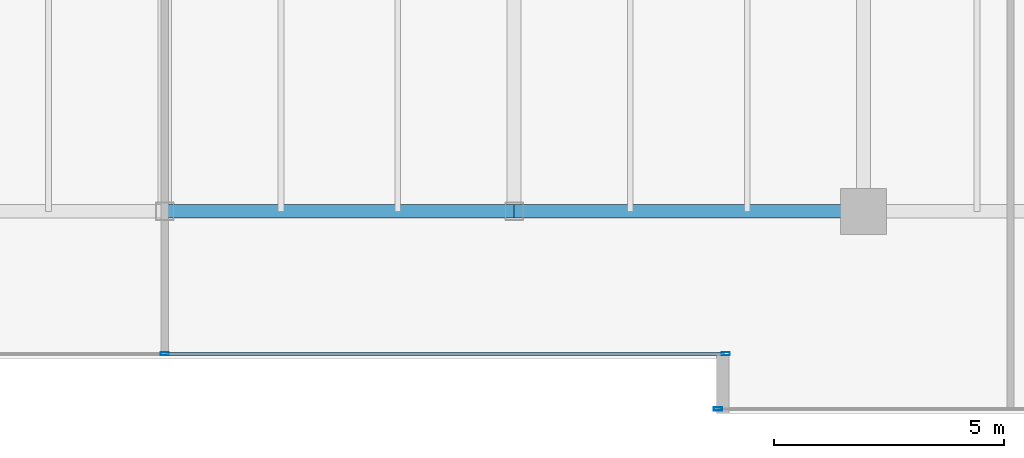
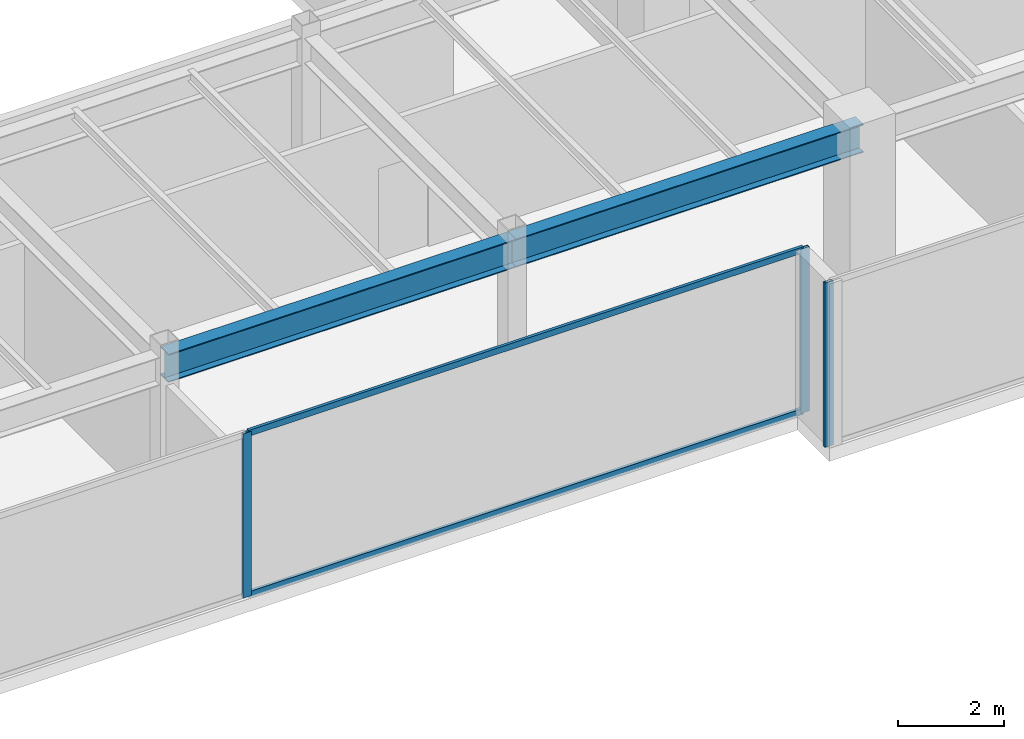
# One storey, part 11 of 33: 5 members, 2 beams, 2 elements without a shape of their own.
"""IFC4 building model written with IfcOpenShell, lengths in metres."""

from ifc_helpers import new_model, si_unit, direction, frame, origin, origin_2d, place, context, subcontext, project, spatial, hollow_rectangle, i_section, extrude, source, transform, mapped, material, layer, layer_set, material_profile, profile_set, type_object, type_shapes, element, aggregate, save


model = new_model("IFC4")

# Units and contexts
model_context = context("Model", 3, precision=1e-05, world=origin(), true_north=direction((0.0, 1.0)))
body_context = subcontext(model_context, "Body", "Model", "MODEL_VIEW")
ifc_project = project(units=[si_unit("LENGTHUNIT", "METRE"), si_unit("AREAUNIT", "SQUARE_METRE"), si_unit("VOLUMEUNIT", "CUBIC_METRE"), si_unit("PLANEANGLEUNIT", "RADIAN"), si_unit("MASSUNIT", "GRAM", prefix="KILO")], contexts=[model_context])

# Site, building, storey
site_placement = place(None, origin())
site = spatial("IfcSite", under=ifc_project, at=site_placement, CompositionType="ELEMENT")
building_placement = place(site_placement, origin())
building = spatial("IfcBuilding", under=site, at=building_placement, Name="Haelvirn Gate Laboratories", CompositionType="ELEMENT")
storey_placement = place(building_placement, frame((0.0, 0.0, 258.800048828125)))
storey = spatial("IfcBuildingStorey", under=building, at=storey_placement, Name="L62", CompositionType="ELEMENT", Elevation=258.800048828125)

# Beams
ifc_material_1 = material(Name="Steel SM355", Category="steel")
ifc_material_profile_1 = material_profile(ifc_material_1, i_section(OverallWidth=0.300048828125, OverallDepth=0.64990234375, WebThickness=0.012939453125, FlangeThickness=0.02197265625, at=origin_2d()), Name="H-650x300x13x22")
ifc_profile_set_1 = profile_set([ifc_material_profile_1], Name="Steel SM355")
beam_type = type_object("IfcBeamType", Name="BM-G-650", PredefinedType="BEAM", material=ifc_profile_set_1)
shared_shape_1 = source(origin(), body_context, "Body", "SweptSolid", [
    extrude(i_section(OverallWidth=0.300048828125, OverallDepth=0.64990234375, WebThickness=0.012939453125, FlangeThickness=0.02197265625, at=origin_2d()), origin(), (0.0, 0.0, 1.0), 7.60009765625),
])
type_shapes(beam_type, [shared_shape_1])
for number, where, z_axis, x_axis, name in (
    (1, (37.39990234375, 7.0, 3.474853515625), (1.0, 0.0, 0.0), (0.0, 1.0, 0.0), "L62 Primary Girder Y7.0 (37.4-45.0)"),
    (2, (45.0, 7.0, 3.474853515625), (1.0, 0.0, 0.0), (0.0, 1.0, 0.0), "L62 Primary Girder Y7.0 (45.0-52.6)"),
):
    element("IfcBeam", number, at=place(storey_placement, frame(where, z_axis=z_axis, x_axis=x_axis)), inside=storey, type_object=beam_type, Name=name, PredefinedType="BEAM", context=body_context, shape_type="MappedRepresentation", body=[
        mapped(shared_shape_1, transform((0.0, 0.0, 0.0), scale=1.0)),
    ])

# Curtain wall, members
ifc_material_2 = material(Name="Anodised bronze unitised aluminium & triple low-E glass", Category="aluminium")
ifc_layer = layer(ifc_material_2, 0.176025390625, Name="CW-SYS-4")
ifc_layer_set = layer_set([ifc_layer], Name="Anodised bronze unitised aluminium & triple low-E glass")
curtain_wall_type = type_object("IfcCurtainWallType", Name="CW-SYS-4", PredefinedType="NOTDEFINED", material=ifc_layer_set)
curtain_wall_1_placement = place(storey_placement, origin())
curtain_wall_1 = element("IfcCurtainWall", 3, at=curtain_wall_1_placement, inside=storey, type_object=curtain_wall_type, Name="L62 Unitised Curtain Wall CW-L62-P0-E02-1", PredefinedType="NOTDEFINED")
ifc_material_3 = material(Name="Extruded aluminium 6063-T6 (anodised bronze)", Category="aluminium")
ifc_material_profile_2 = material_profile(ifc_material_3, hollow_rectangle(XDim=0.06494140625, YDim=0.139892578125, WallThickness=0.00390625, at=origin_2d()), Name="CWT-140x65x4")
ifc_profile_set_2 = profile_set([ifc_material_profile_2], Name="Extruded aluminium 6063-T6 (anodised bronze)")
member_type_1 = type_object("IfcMemberType", Name="CWT-T140", PredefinedType="USERDEFINED", material=ifc_profile_set_2)
shared_shape_2 = source(origin(), body_context, "Body", "SweptSolid", [
    extrude(hollow_rectangle(XDim=0.06494140625, YDim=0.139892578125, WallThickness=0.00390625, at=origin_2d()), origin(), (0.0, 0.0, 1.0), 12.135009765625),
])
type_shapes(member_type_1, [shared_shape_2])
member_1_placement = place(storey_placement, frame((37.43505859375, 3.89990234375, 0.032470703125), z_axis=(1.0, 0.0, 0.0), x_axis=(0.0, 1.0, 0.0)))
member_1 = element("IfcMember", 4, at=member_1_placement, type_object=member_type_1, Name="CW4 transom 2.1", ObjectType="TRANSOM", PredefinedType="USERDEFINED", context=body_context, shape_type="MappedRepresentation", body=[
    mapped(shared_shape_2, transform((0.0, 0.0, 0.0), scale=1.0)),
])
member_2_placement = place(storey_placement, frame((37.43505859375, 3.89990234375, 3.767333984375), z_axis=(1.0, 0.0, 0.0), x_axis=(0.0, 1.0, 0.0)))
member_2 = element("IfcMember", 5, at=member_2_placement, type_object=member_type_1, Name="CW4 transom 2.2", ObjectType="TRANSOM", PredefinedType="USERDEFINED", context=body_context, shape_type="MappedRepresentation", body=[
    mapped(shared_shape_2, transform((0.0, 0.0, 0.0), scale=1.0)),
])
ifc_material_profile_3 = material_profile(ifc_material_3, hollow_rectangle(XDim=0.070068359375, YDim=0.179931640625, WallThickness=0.0048828125, at=origin_2d()), Name="CWM-180x70x5")
ifc_profile_set_3 = profile_set([ifc_material_profile_3], Name="Extruded aluminium 6063-T6 (anodised bronze)")
member_type_2 = type_object("IfcMemberType", Name="CWM-T180", PredefinedType="MULLION", material=ifc_profile_set_3)
shared_shape_3 = source(origin(), body_context, "Body", "SweptSolid", [
    extrude(hollow_rectangle(XDim=0.070068359375, YDim=0.179931640625, WallThickness=0.0048828125, at=origin_2d()), origin(), (0.0, 0.0, 1.0), 3.800048828125),
])
type_shapes(member_type_2, [shared_shape_3])
member_3_placement = place(storey_placement, frame((37.39990234375, 3.89990234375, 0.0), z_axis=(0.0, 0.0, 1.0), x_axis=(0.0, 1.0, 0.0)))
member_3 = element("IfcMember", 6, at=member_3_placement, type_object=member_type_2, Name="CW4 mullion 2", PredefinedType="MULLION", context=body_context, shape_type="MappedRepresentation", body=[
    mapped(shared_shape_3, transform((0.0, 0.0, 0.0), scale=1.0)),
])
member_4_placement = place(storey_placement, frame((49.60498046875, 3.89990234375, 0.0), z_axis=(0.0, 0.0, 1.0), x_axis=(0.0, 1.0, 0.0)))
member_4 = element("IfcMember", 7, at=member_4_placement, type_object=member_type_2, Name="CW4 mullion 3", PredefinedType="MULLION", context=body_context, shape_type="MappedRepresentation", body=[
    mapped(shared_shape_3, transform((0.0, 0.0, 0.0), scale=1.0)),
])
aggregate(curtain_wall_1, [member_3, member_4, member_1, member_2])

# Curtain wall, member
curtain_wall_2_placement = place(storey_placement, origin())
curtain_wall_2 = element("IfcCurtainWall", 8, at=curtain_wall_2_placement, inside=storey, type_object=curtain_wall_type, Name="L62 Unitised Curtain Wall CW-L62-P0-E04-1", PredefinedType="NOTDEFINED")
member_5_placement = place(storey_placement, frame((49.43505859375, 2.699951171875, 0.0), z_axis=(0.0, 0.0, 1.0), x_axis=(0.0, 1.0, 0.0)))
member_5 = element("IfcMember", 9, at=member_5_placement, type_object=member_type_2, Name="CW4 mullion 1", PredefinedType="MULLION", context=body_context, shape_type="MappedRepresentation", body=[
    mapped(shared_shape_3, transform((0.0, 0.0, 0.0), scale=1.0)),
])
aggregate(curtain_wall_2, [member_5])

save(model, "model.ifc")
